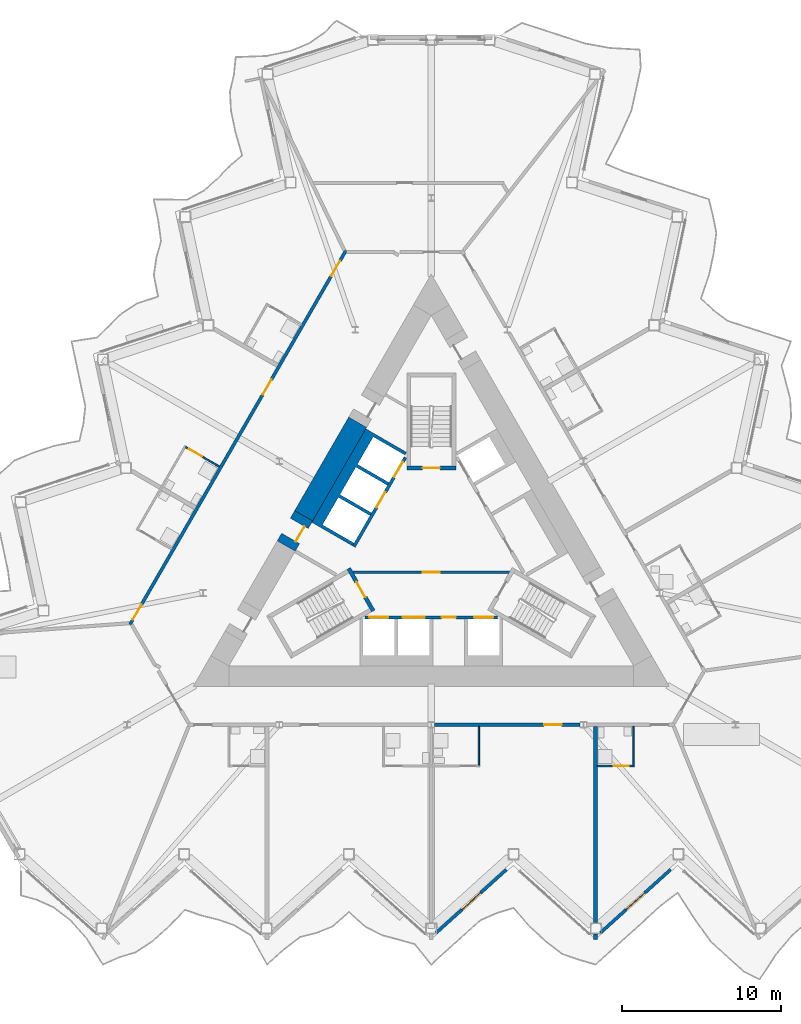
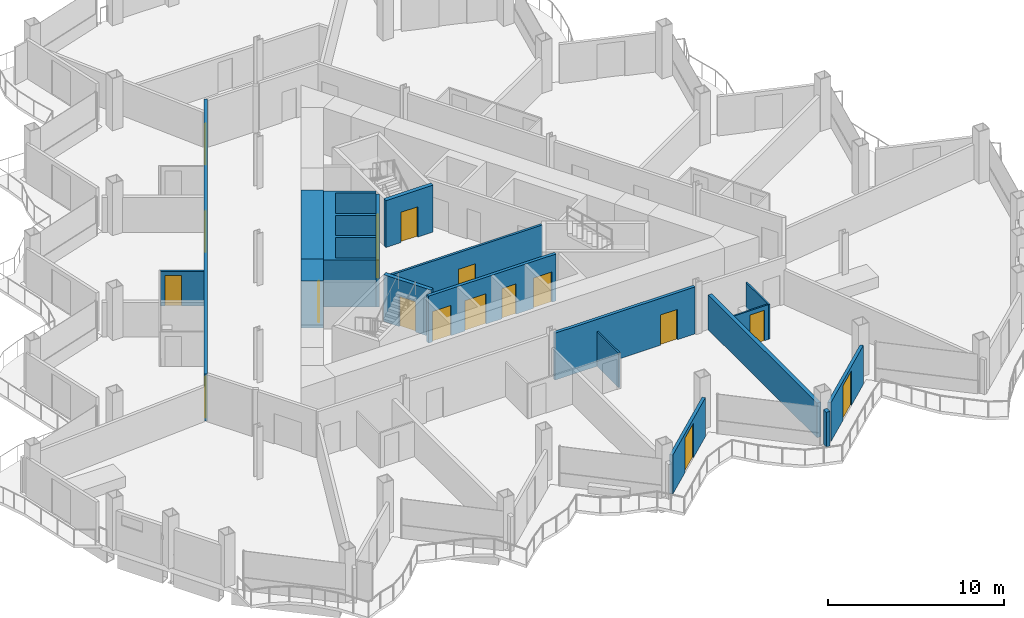
# One storey, part 12 of 24: 18 doors, 18 walls, 18 openings.
"""IFC4 building model written with IfcOpenShell, lengths in metres."""

from ifc_helpers import new_model, si_unit, direction, frame, frame_2d, origin, place, context, subcontext, project, spatial, polyline, rectangle, outline, extrude, material, layer, layer_set, type_object, element, fill, save


model = new_model("IFC4")

# Units and contexts
model_context = context("Model", 3, precision=1e-05, world=origin(), true_north=direction((0.0, 1.0)))
body_context = subcontext(model_context, "Body", "Model", "MODEL_VIEW")
ifc_project = project(units=[si_unit("LENGTHUNIT", "METRE"), si_unit("AREAUNIT", "SQUARE_METRE"), si_unit("VOLUMEUNIT", "CUBIC_METRE"), si_unit("PLANEANGLEUNIT", "RADIAN"), si_unit("MASSUNIT", "GRAM", prefix="KILO")], contexts=[model_context])

# Site, building, storey
site_placement = place(None, origin())
site = spatial("IfcSite", under=ifc_project, at=site_placement, CompositionType="ELEMENT")
building_placement = place(site_placement, origin())
building = spatial("IfcBuilding", under=site, at=building_placement, Name="Cormorant Prow Tower", CompositionType="ELEMENT")
storey_placement = place(building_placement, frame((0.0, 0.0, 231.0)))
storey = spatial("IfcBuildingStorey", under=building, at=storey_placement, Name="L50", CompositionType="ELEMENT", Elevation=231.0)

# Wall, opening, door
ifc_material_1 = material(Name="Gypsum board partition")
ifc_layer_1 = layer(ifc_material_1, 0.14990234375)
ifc_layer_set_1 = layer_set([ifc_layer_1], Name="Gypsum board partition")
wall_type_1 = type_object("IfcWallType", Name="Core partition 150", PredefinedType="PARTITIONING", material=ifc_layer_set_1)
wall_1_placement = place(storey_placement, frame((-4.941162109375, -1.449951171875, 0.0), z_axis=(0.0, 0.0, 1.0), x_axis=(1.0, 0.0, 0.0)))
wall_1 = element("IfcWall", 1, at=wall_1_placement, inside=storey, type_object=wall_type_1, Name="Firefighting lobby partition", PredefinedType="PARTITIONING", context=body_context, shape_type="SweptSolid", body=[
    extrude(rectangle(XDim=9.88232421875, YDim=0.14990234375, at=frame_2d((4.941162109375, 0.0))), origin(), (0.0, 0.0, 1.0), 3.25),
])
opening_1_placement = place(wall_1_placement, frame((4.39111328125, 0.0, 0.0)))
opening_1 = element("IfcOpeningElement", 2, at=opening_1_placement, cuts=wall_1, Name="Opening L50-C10", PredefinedType="OPENING", context=body_context, shape_type="SweptSolid", body=[
    extrude(rectangle(XDim=1.10009765625, YDim=2.10009765625, at=frame_2d((0.550048828125, 1.050048828125))), frame((0.0, 0.0849609375, 0.0), z_axis=(0.0, -1.0, 0.0), x_axis=(1.0, 0.0, 0.0)), (0.0, 0.0, 1.0), 0.169921875),
])
ifc_material_2 = material(Name="Painted steel", Category="steel")
door_type_1 = type_object("IfcDoorType", Name="Firefighting lobby door 1100x2100", OperationType="NOTDEFINED", PredefinedType="DOOR", material=ifc_material_2)
door_1_placement = place(opening_1_placement, origin())
door_1 = element("IfcDoor", 3, at=door_1_placement, inside=storey, type_object=door_type_1, Name="Firefighting lobby door", OperationType="SINGLE_SWING_LEFT", OverallHeight=2.10009765625, OverallWidth=1.10009765625, PredefinedType="DOOR", context=body_context, shape_type="SweptSolid", body=[
    extrude(rectangle(XDim=1.10009765625, YDim=2.10009765625, at=frame_2d((0.550048828125, 1.050048828125))), frame((0.0, 0.02490234375, 0.0), z_axis=(0.0, -1.0, 0.0), x_axis=(1.0, 0.0, 0.0)), (0.0, 0.0, 1.0), 0.050048828125),
])
fill(opening_1, door_1)

# Wall
ifc_material_3 = material(Name="Concrete 8000 psi", Category="concrete")
ifc_layer_2 = layer(ifc_material_3, 1.300048828125)
ifc_layer_set_2 = layer_set([ifc_layer_2], Name="Concrete 8000 psi")
wall_type_2 = type_object("IfcWallType", Name="Core shear wall 1300", PredefinedType="SHEAR", material=ifc_layer_set_2)
wall_2_placement = place(storey_placement, frame((-4.63623046875, 7.989990234375, 0.0), z_axis=(0.0, 0.0, 1.0), x_axis=(-0.500022813292, -0.866012232124, 0.0)))
element("IfcWall", 4, at=wall_2_placement, inside=storey, type_object=wall_type_2, Name="Core wall", PredefinedType="SHEAR", context=body_context, shape_type="SweptSolid", body=[
    extrude(rectangle(XDim=6.801513671875, YDim=1.300048828125, at=frame_2d((3.40087890625, 0.0))), origin(), (0.0, 0.0, 1.0), 3.25),
])

# Wall, opening, door
wall_3_placement = place(storey_placement, frame((-8.037109375, 2.099853515625, 0.0), z_axis=(0.0, 0.0, 1.0), x_axis=(-0.50002983664, -0.866008176907, 0.0)))
wall_3 = element("IfcWall", 5, at=wall_3_placement, inside=storey, type_object=wall_type_2, Name="Core wall door panel", PredefinedType="SHEAR", context=body_context, shape_type="SweptSolid", body=[
    extrude(rectangle(XDim=2.199951171875, YDim=1.300048828125, at=frame_2d((1.10009765625, 0.0))), origin(), (0.0, 0.0, 1.0), 3.25),
])
opening_2_placement = place(wall_3_placement, frame((0.550048828125, 0.0, 0.0)))
opening_2 = element("IfcOpeningElement", 6, at=opening_2_placement, cuts=wall_3, Name="Opening L50-C18", PredefinedType="OPENING", context=body_context, shape_type="SweptSolid", body=[
    extrude(rectangle(XDim=1.10009765625, YDim=2.10009765625, at=frame_2d((0.550048828125, 1.050048828125))), frame((0.0, 0.659912109375, 0.0), z_axis=(0.0, -1.0, 0.0), x_axis=(1.0, 0.0, 0.0)), (0.0, 0.0, 1.0), 1.320068359375),
])
ifc_material_4 = material(Name="Painted steel", Category="steel")
door_type_2 = type_object("IfcDoorType", Name="Core door 1100x2100", OperationType="NOTDEFINED", PredefinedType="DOOR", material=ifc_material_4)
door_2_placement = place(opening_2_placement, origin())
door_2 = element("IfcDoor", 7, at=door_2_placement, inside=storey, type_object=door_type_2, Name="Core door, lift lobby", OperationType="SINGLE_SWING_RIGHT", OverallHeight=2.10009765625, OverallWidth=1.10009765625, PredefinedType="DOOR", context=body_context, shape_type="SweptSolid", body=[
    extrude(rectangle(XDim=1.10009765625, YDim=2.10009765625, at=frame_2d((0.550048828125, 1.050048828125))), frame((0.0, 0.40478515625, 0.0), z_axis=(0.0, -1.0, 0.0), x_axis=(1.0, 0.0, 0.0)), (0.0, 0.0, 1.0), 0.050048828125),
])
fill(opening_2, door_2)

# Wall, openings, doors
ifc_material_5 = material(Name="Gypsum board corridor wall")
ifc_layer_3 = layer(ifc_material_5, 0.199951171875)
ifc_layer_set_3 = layer_set([ifc_layer_3], Name="Gypsum board corridor wall")
wall_type_3 = type_object("IfcWallType", Name="Corridor wall 200", PredefinedType="PARTITIONING", material=ifc_layer_set_3)
wall_4_placement = place(storey_placement, frame((-18.97607421875, -4.746826171875, 0.0), z_axis=(0.0, 0.0, 1.0), x_axis=(0.499999852422, 0.866025488988, 0.0)))
wall_4 = element("IfcWall", 8, at=wall_4_placement, inside=storey, type_object=wall_type_3, Name="Corridor wall", PredefinedType="PARTITIONING", context=body_context, shape_type="SweptSolid", body=[
    extrude(rectangle(XDim=27.19775390625, YDim=0.199951171875, at=frame_2d((13.598876953125, 0.0))), origin(), (0.0, 0.0, 1.0), 3.25),
])
opening_3_placement = place(wall_4_placement, frame((25.345947265625, 0.0, 0.0)))
opening_3 = element("IfcOpeningElement", 9, at=opening_3_placement, cuts=wall_4, Name="Opening L50-F20", PredefinedType="OPENING", context=body_context, shape_type="SweptSolid", body=[
    extrude(rectangle(XDim=1.10009765625, YDim=2.10009765625, at=frame_2d((0.550048828125, 1.050048828125))), frame((0.0, 0.10986328125, 0.0), z_axis=(0.0, -1.0, 0.0), x_axis=(1.0, 0.0, 0.0)), (0.0, 0.0, 1.0), 0.219970703125),
])
opening_4_placement = place(wall_4_placement, frame((16.712890625, 0.0, 0.0)))
opening_4 = element("IfcOpeningElement", 10, at=opening_4_placement, cuts=wall_4, Name="Opening L50-F22", PredefinedType="OPENING", context=body_context, shape_type="SweptSolid", body=[
    extrude(rectangle(XDim=1.10009765625, YDim=2.10009765625, at=frame_2d((0.550048828125, 1.050048828125))), frame((0.0, 0.10986328125, 0.0), z_axis=(0.0, -1.0, 0.0), x_axis=(1.0, 0.0, 0.0)), (0.0, 0.0, 1.0), 0.219970703125),
])
opening_5_placement = place(wall_4_placement, frame((0.350341796875, 0.0, 0.0)))
opening_5 = element("IfcOpeningElement", 11, at=opening_5_placement, cuts=wall_4, Name="Opening L50-F24", PredefinedType="OPENING", context=body_context, shape_type="SweptSolid", body=[
    extrude(rectangle(XDim=1.10009765625, YDim=2.10009765625, at=frame_2d((0.550048828125, 1.050048828125))), frame((0.0, 0.10986328125, 0.0), z_axis=(0.0, -1.0, 0.0), x_axis=(1.0, 0.0, 0.0)), (0.0, 0.0, 1.0), 0.219970703125),
])
ifc_material_6 = material(Name="Timber door leaf", Category="wood")
door_type_3 = type_object("IfcDoorType", Name="Suite entrance door 1100x2100", OperationType="NOTDEFINED", PredefinedType="DOOR", material=ifc_material_6)
door_3_placement = place(opening_3_placement, origin())
door_3 = element("IfcDoor", 12, at=door_3_placement, inside=storey, type_object=door_type_3, Name="Executive suite bedroom door", OperationType="SINGLE_SWING_RIGHT", OverallHeight=2.10009765625, OverallWidth=1.10009765625, PredefinedType="DOOR", context=body_context, shape_type="SweptSolid", body=[
    extrude(rectangle(XDim=1.10009765625, YDim=2.10009765625, at=frame_2d((0.550048828125, 1.050048828125))), frame((0.0, 0.02490234375, 0.0), z_axis=(0.0, -1.0, 0.0), x_axis=(1.0, 0.0, 0.0)), (0.0, 0.0, 1.0), 0.050048828125),
])
fill(opening_3, door_3)
door_4_placement = place(opening_4_placement, origin())
door_4 = element("IfcDoor", 13, at=door_4_placement, inside=storey, type_object=door_type_3, Name="Junior suite door", OperationType="SINGLE_SWING_RIGHT", OverallHeight=2.10009765625, OverallWidth=1.10009765625, PredefinedType="DOOR", context=body_context, shape_type="SweptSolid", body=[
    extrude(rectangle(XDim=1.10009765625, YDim=2.10009765625, at=frame_2d((0.550048828125, 1.050048828125))), frame((0.0, 0.02490234375, 0.0), z_axis=(0.0, -1.0, 0.0), x_axis=(1.0, 0.0, 0.0)), (0.0, 0.0, 1.0), 0.050048828125),
])
fill(opening_4, door_4)
door_5_placement = place(opening_5_placement, origin())
door_5 = element("IfcDoor", 14, at=door_5_placement, inside=storey, type_object=door_type_3, Name="Executive suite bedroom door", OperationType="SINGLE_SWING_LEFT", OverallHeight=2.10009765625, OverallWidth=1.10009765625, PredefinedType="DOOR", context=body_context, shape_type="SweptSolid", body=[
    extrude(rectangle(XDim=1.10009765625, YDim=2.10009765625, at=frame_2d((0.550048828125, 1.050048828125))), frame((0.0, 0.02490234375, 0.0), z_axis=(0.0, -1.0, 0.0), x_axis=(1.0, 0.0, 0.0)), (0.0, 0.0, 1.0), 0.050048828125),
])
fill(opening_5, door_5)

# Wall, opening, door
wall_5_placement = place(storey_placement, frame((0.20947265625, -11.060302734375, 0.0), z_axis=(0.0, 0.0, 1.0), x_axis=(1.0, 0.0, 0.0)))
wall_5 = element("IfcWall", 15, at=wall_5_placement, inside=storey, type_object=wall_type_3, Name="Corridor wall", PredefinedType="PARTITIONING", context=body_context, shape_type="SweptSolid", body=[
    extrude(rectangle(XDim=9.159423828125, YDim=0.199951171875, at=frame_2d((4.57958984375, 0.0))), origin(), (0.0, 0.0, 1.0), 3.25),
])
opening_6_placement = place(wall_5_placement, frame((6.90234375, 0.0, 0.0)))
opening_6 = element("IfcOpeningElement", 16, at=opening_6_placement, cuts=wall_5, Name="Opening L50-F05", PredefinedType="OPENING", context=body_context, shape_type="SweptSolid", body=[
    extrude(rectangle(XDim=1.10009765625, YDim=2.10009765625, at=frame_2d((0.550048828125, 1.050048828125))), frame((0.0, 0.10986328125, 0.0), z_axis=(0.0, -1.0, 0.0), x_axis=(1.0, 0.0, 0.0)), (0.0, 0.0, 1.0), 0.219970703125),
])
door_6_placement = place(opening_6_placement, origin())
door_6 = element("IfcDoor", 17, at=door_6_placement, inside=storey, type_object=door_type_3, Name="Junior suite door", OperationType="SINGLE_SWING_LEFT", OverallHeight=2.10009765625, OverallWidth=1.10009765625, PredefinedType="DOOR", context=body_context, shape_type="SweptSolid", body=[
    extrude(rectangle(XDim=1.10009765625, YDim=2.10009765625, at=frame_2d((0.550048828125, 1.050048828125))), frame((0.0, 0.02490234375, 0.0), z_axis=(0.0, -1.0, 0.0), x_axis=(1.0, 0.0, 0.0)), (0.0, 0.0, 1.0), 0.050048828125),
])
fill(opening_6, door_6)

ifc_material_7 = material(Name="Gypsum board partition")
ifc_layer_4 = layer(ifc_material_7, 0.10009765625)
ifc_layer_set_4 = layer_set([ifc_layer_4], Name="Gypsum board partition")
wall_type_4 = type_object("IfcWallType", Name="Internal partition 100", PredefinedType="PARTITIONING", material=ifc_layer_set_4)
wall_6_placement = place(storey_placement, frame((-15.470947265625, 6.42431640625, 0.0), z_axis=(0.0, 0.0, 1.0), x_axis=(0.866014668023, -0.500018594424, 0.0)))
wall_6 = element("IfcWall", 18, at=wall_6_placement, inside=storey, type_object=wall_type_4, Name="Internal partition", PredefinedType="PARTITIONING", context=body_context, shape_type="SweptSolid", body=[
    extrude(rectangle(XDim=2.4501953125, YDim=0.10009765625, at=frame_2d((1.22509765625, 0.0))), origin(), (0.0, 0.0, 1.0), 2.404296875),
])
opening_7_placement = place(wall_6_placement, frame((0.25, 0.0, 0.0)))
opening_7 = element("IfcOpeningElement", 19, at=opening_7_placement, cuts=wall_6, Name="Opening L50-F23", PredefinedType="OPENING", context=body_context, shape_type="SweptSolid", body=[
    extrude(rectangle(XDim=0.949951171875, YDim=2.10009765625, at=frame_2d((0.47509765625, 1.050048828125))), frame((0.0, 0.06005859375, 0.0), z_axis=(0.0, -1.0, 0.0), x_axis=(1.0, 0.0, 0.0)), (0.0, 0.0, 1.0), 0.1201171875),
])
ifc_material_8 = material(Name="Timber door leaf", Category="wood")
door_type_4 = type_object("IfcDoorType", Name="Bathroom door 950x2100", OperationType="NOTDEFINED", PredefinedType="DOOR", material=ifc_material_8)
door_7_placement = place(opening_7_placement, origin())
door_7 = element("IfcDoor", 20, at=door_7_placement, inside=storey, type_object=door_type_4, Name="Junior suite door", OperationType="SINGLE_SWING_LEFT", OverallHeight=2.10009765625, OverallWidth=0.949951171875, PredefinedType="DOOR", context=body_context, shape_type="SweptSolid", body=[
    extrude(rectangle(XDim=0.949951171875, YDim=2.10009765625, at=frame_2d((0.47509765625, 1.050048828125))), frame((0.0, 0.02490234375, 0.0), z_axis=(0.0, -1.0, 0.0), x_axis=(1.0, 0.0, 0.0)), (0.0, 0.0, 1.0), 0.050048828125),
])
fill(opening_7, door_7)

# Walls
wall_7_placement = place(storey_placement, frame((3.0, -13.6103515625, 0.0), z_axis=(0.0, 0.0, 1.0), x_axis=(0.0, 1.0, 0.0)))
element("IfcWall", 21, at=wall_7_placement, inside=storey, type_object=wall_type_4, Name="Internal partition", PredefinedType="PARTITIONING", context=body_context, shape_type="SweptSolid", body=[
    extrude(rectangle(XDim=2.449951171875, YDim=0.10009765625, at=frame_2d((1.22509765625, 0.0))), origin(), (0.0, 0.0, 1.0), 2.404296875),
])
wall_8_placement = place(storey_placement, frame((12.743896484375, -13.710205078125, 0.0), z_axis=(0.0, 0.0, 1.0), x_axis=(0.0, 1.0, 0.0)))
element("IfcWall", 22, at=wall_8_placement, inside=storey, type_object=wall_type_4, Name="Internal partition", PredefinedType="PARTITIONING", context=body_context, shape_type="SweptSolid", body=[
    extrude(rectangle(XDim=2.5498046875, YDim=0.10009765625, at=frame_2d((1.27490234375, 0.0))), origin(), (0.0, 0.0, 1.0), 2.404296875),
])

# Wall, opening, door
wall_9_placement = place(storey_placement, frame((10.46875, -13.660400390625, 0.0), z_axis=(0.0, 0.0, 1.0), x_axis=(1.0, 0.0, 0.0)))
wall_9 = element("IfcWall", 23, at=wall_9_placement, inside=storey, type_object=wall_type_4, Name="Internal partition", PredefinedType="PARTITIONING", context=body_context, shape_type="SweptSolid", body=[
    extrude(rectangle(XDim=2.22509765625, YDim=0.10009765625, at=frame_2d((1.112548828125, 0.0))), origin(), (0.0, 0.0, 1.0), 2.404296875),
])
opening_8_placement = place(wall_9_placement, frame((1.02490234375, 0.0, 0.0)))
opening_8 = element("IfcOpeningElement", 24, at=opening_8_placement, cuts=wall_9, Name="Opening L50-F08", PredefinedType="OPENING", context=body_context, shape_type="SweptSolid", body=[
    extrude(rectangle(XDim=0.949951171875, YDim=2.10009765625, at=frame_2d((0.47509765625, 1.050048828125))), frame((0.0, 0.06005859375, 0.0), z_axis=(0.0, -1.0, 0.0), x_axis=(1.0, 0.0, 0.0)), (0.0, 0.0, 1.0), 0.1201171875),
])
door_8_placement = place(opening_8_placement, origin())
door_8 = element("IfcDoor", 25, at=door_8_placement, inside=storey, type_object=door_type_4, Name="Junior suite door", OperationType="SINGLE_SWING_RIGHT", OverallHeight=2.10009765625, OverallWidth=0.949951171875, PredefinedType="DOOR", context=body_context, shape_type="SweptSolid", body=[
    extrude(rectangle(XDim=0.949951171875, YDim=2.10009765625, at=frame_2d((0.47509765625, 1.050048828125))), frame((0.0, 0.02490234375, 0.0), z_axis=(0.0, -1.0, 0.0), x_axis=(1.0, 0.0, 0.0)), (0.0, 0.0, 1.0), 0.050048828125),
])
fill(opening_8, door_8)

# Wall, openings, doors
ifc_material_9 = material(Name="Concrete 5000 psi", Category="concrete")
ifc_layer_5 = layer(ifc_material_9, 0.199951171875)
ifc_layer_set_5 = layer_set([ifc_layer_5], Name="Concrete 5000 psi")
wall_type_5 = type_object("IfcWallType", Name="Lift lobby wall 200", PredefinedType="SOLIDWALL", material=ifc_layer_set_5)
wall_10_placement = place(storey_placement, frame((-4.1865234375, -4.300048828125, 0.0), z_axis=(0.0, 0.0, 1.0), x_axis=(1.0, 0.0, 0.0)))
wall_10 = element("IfcWall", 26, at=wall_10_placement, inside=storey, type_object=wall_type_5, Name="Lift lobby wall, S block", PredefinedType="SOLIDWALL", context=body_context, shape_type="SweptSolid", body=[
    extrude(rectangle(XDim=8.373046875, YDim=0.199951171875, at=frame_2d((4.1865234375, 0.0))), origin(), (0.0, 0.0, 1.0), 3.25),
])
opening_9_placement = place(wall_10_placement, frame((0.28662109375, 0.0, 0.0)))
opening_9 = element("IfcOpeningElement", 27, at=opening_9_placement, cuts=wall_10, Name="Opening L50-C01", PredefinedType="OPENING", context=body_context, shape_type="SweptSolid", body=[
    extrude(rectangle(XDim=1.199951171875, YDim=2.10009765625, at=frame_2d((0.60009765625, 1.050048828125))), frame((0.0, 0.10986328125, 0.0), z_axis=(0.0, -1.0, 0.0), x_axis=(1.0, 0.0, 0.0)), (0.0, 0.0, 1.0), 0.219970703125),
])
opening_10_placement = place(wall_10_placement, frame((2.38671875, 0.0, 0.0)))
opening_10 = element("IfcOpeningElement", 28, at=opening_10_placement, cuts=wall_10, Name="Opening L50-C02", PredefinedType="OPENING", context=body_context, shape_type="SweptSolid", body=[
    extrude(rectangle(XDim=1.39990234375, YDim=2.10009765625, at=frame_2d((0.699951171875, 1.050048828125))), frame((0.0, 0.10986328125, 0.0), z_axis=(0.0, -1.0, 0.0), x_axis=(1.0, 0.0, 0.0)), (0.0, 0.0, 1.0), 0.219970703125),
])
opening_11_placement = place(wall_10_placement, frame((4.836669921875, 0.0, 0.0)))
opening_11 = element("IfcOpeningElement", 29, at=opening_11_placement, cuts=wall_10, Name="Opening L50-C03", PredefinedType="OPENING", context=body_context, shape_type="SweptSolid", body=[
    extrude(rectangle(XDim=0.89990234375, YDim=2.10009765625, at=frame_2d((0.449951171875, 1.050048828125))), frame((0.0, 0.10986328125, 0.0), z_axis=(0.0, -1.0, 0.0), x_axis=(1.0, 0.0, 0.0)), (0.0, 0.0, 1.0), 0.219970703125),
])
opening_12_placement = place(wall_10_placement, frame((6.88671875, 0.0, 0.0)))
opening_12 = element("IfcOpeningElement", 30, at=opening_12_placement, cuts=wall_10, Name="Opening L50-C04", PredefinedType="OPENING", context=body_context, shape_type="SweptSolid", body=[
    extrude(rectangle(XDim=1.199951171875, YDim=2.10009765625, at=frame_2d((0.60009765625, 1.050048828125))), frame((0.0, 0.10986328125, 0.0), z_axis=(0.0, -1.0, 0.0), x_axis=(1.0, 0.0, 0.0)), (0.0, 0.0, 1.0), 0.219970703125),
])
ifc_material_10 = material(Name="Painted steel", Category="steel")
door_type_5 = type_object("IfcDoorType", Name="Firefighting lift landing door 1200x2100", OperationType="SLIDING_TO_LEFT", PredefinedType="DOOR", material=ifc_material_10)
door_9_placement = place(opening_9_placement, origin())
door_9 = element("IfcDoor", 31, at=door_9_placement, inside=storey, type_object=door_type_5, Name="Landing door FL1", OperationType="SLIDING_TO_LEFT", OverallHeight=2.10009765625, OverallWidth=1.199951171875, PredefinedType="DOOR", context=body_context, shape_type="SweptSolid", body=[
    extrude(rectangle(XDim=1.199951171875, YDim=2.10009765625, at=frame_2d((0.60009765625, 1.050048828125))), frame((0.0, 0.02490234375, 0.0), z_axis=(0.0, -1.0, 0.0), x_axis=(1.0, 0.0, 0.0)), (0.0, 0.0, 1.0), 0.050048828125),
])
fill(opening_9, door_9)
door_10_placement = place(opening_12_placement, origin())
door_10 = element("IfcDoor", 32, at=door_10_placement, inside=storey, type_object=door_type_5, Name="Landing door FL2", OperationType="SLIDING_TO_LEFT", OverallHeight=2.10009765625, OverallWidth=1.199951171875, PredefinedType="DOOR", context=body_context, shape_type="SweptSolid", body=[
    extrude(rectangle(XDim=1.199951171875, YDim=2.10009765625, at=frame_2d((0.60009765625, 1.050048828125))), frame((0.0, 0.02490234375, 0.0), z_axis=(0.0, -1.0, 0.0), x_axis=(1.0, 0.0, 0.0)), (0.0, 0.0, 1.0), 0.050048828125),
])
fill(opening_12, door_10)
ifc_material_11 = material(Name="Painted steel", Category="steel")
door_type_6 = type_object("IfcDoorType", Name="Service door 900x2100", OperationType="NOTDEFINED", PredefinedType="DOOR", material=ifc_material_11)
door_11_placement = place(opening_11_placement, origin())
door_11 = element("IfcDoor", 33, at=door_11_placement, inside=storey, type_object=door_type_6, Name="Service door, Pantry store", OperationType="SINGLE_SWING_RIGHT", OverallHeight=2.10009765625, OverallWidth=0.89990234375, PredefinedType="DOOR", context=body_context, shape_type="SweptSolid", body=[
    extrude(rectangle(XDim=0.89990234375, YDim=2.10009765625, at=frame_2d((0.449951171875, 1.050048828125))), frame((0.0, 0.02490234375, 0.0), z_axis=(0.0, -1.0, 0.0), x_axis=(1.0, 0.0, 0.0)), (0.0, 0.0, 1.0), 0.050048828125),
])
fill(opening_11, door_11)
ifc_material_12 = material(Name="Painted steel", Category="steel")
door_type_7 = type_object("IfcDoorType", Name="Service lift landing door 1400x2100", OperationType="SLIDING_TO_LEFT", PredefinedType="DOOR", material=ifc_material_12)
door_12_placement = place(opening_10_placement, origin())
door_12 = element("IfcDoor", 34, at=door_12_placement, inside=storey, type_object=door_type_7, Name="Landing door SL1", OperationType="SLIDING_TO_LEFT", OverallHeight=2.10009765625, OverallWidth=1.39990234375, PredefinedType="DOOR", context=body_context, shape_type="SweptSolid", body=[
    extrude(rectangle(XDim=1.39990234375, YDim=2.10009765625, at=frame_2d((0.699951171875, 1.050048828125))), frame((0.0, 0.02490234375, 0.0), z_axis=(0.0, -1.0, 0.0), x_axis=(1.0, 0.0, 0.0)), (0.0, 0.0, 1.0), 0.050048828125),
])
fill(opening_10, door_12)

wall_11_placement = place(storey_placement, frame((-1.630615234375, 5.775634765625, 0.0), z_axis=(0.0, 0.0, 1.0), x_axis=(-0.499992876559, -0.866029516466, 0.0)))
wall_11 = element("IfcWall", 35, at=wall_11_placement, inside=storey, type_object=wall_type_5, Name="Lift lobby wall, WNW block", PredefinedType="SOLIDWALL", context=body_context, shape_type="SweptSolid", body=[
    extrude(rectangle(XDim=6.486328125, YDim=0.199951171875, at=frame_2d((3.2431640625, 0.0))), origin(), (0.0, 0.0, 1.0), 3.25),
])
opening_13_placement = place(wall_11_placement, frame((0.336669921875, 0.0, 0.0)))
opening_13 = element("IfcOpeningElement", 36, at=opening_13_placement, cuts=wall_11, Name="Opening L50-C08", PredefinedType="OPENING", context=body_context, shape_type="SweptSolid", body=[
    extrude(rectangle(XDim=1.10009765625, YDim=2.10009765625, at=frame_2d((0.550048828125, 1.050048828125))), frame((0.0, 0.10986328125, 0.0), z_axis=(0.0, -1.0, 0.0), x_axis=(1.0, 0.0, 0.0)), (0.0, 0.0, 1.0), 0.219970703125),
])
opening_14_placement = place(wall_11_placement, frame((2.53662109375, 0.0, 0.0)))
opening_14 = element("IfcOpeningElement", 37, at=opening_14_placement, cuts=wall_11, Name="Opening L50-C09", PredefinedType="OPENING", context=body_context, shape_type="SweptSolid", body=[
    extrude(rectangle(XDim=1.10009765625, YDim=2.10009765625, at=frame_2d((0.550048828125, 1.050048828125))), frame((0.0, 0.10986328125, 0.0), z_axis=(0.0, -1.0, 0.0), x_axis=(1.0, 0.0, 0.0)), (0.0, 0.0, 1.0), 0.219970703125),
])
ifc_material_13 = material(Name="Painted steel", Category="steel")
door_type_8 = type_object("IfcDoorType", Name="Lift landing door 1100x2100", OperationType="SLIDING_TO_LEFT", PredefinedType="DOOR", material=ifc_material_13)
door_13_placement = place(opening_13_placement, origin())
door_13 = element("IfcDoor", 38, at=door_13_placement, inside=storey, type_object=door_type_8, Name="Landing door MR2", OperationType="SLIDING_TO_LEFT", OverallHeight=2.10009765625, OverallWidth=1.10009765625, PredefinedType="DOOR", context=body_context, shape_type="SweptSolid", body=[
    extrude(rectangle(XDim=1.10009765625, YDim=2.10009765625, at=frame_2d((0.550048828125, 1.050048828125))), frame((0.0, 0.02490234375, 0.0), z_axis=(0.0, -1.0, 0.0), x_axis=(1.0, 0.0, 0.0)), (0.0, 0.0, 1.0), 0.050048828125),
])
fill(opening_13, door_13)
door_14_placement = place(opening_14_placement, origin())
door_14 = element("IfcDoor", 39, at=door_14_placement, inside=storey, type_object=door_type_8, Name="Landing door MR3", OperationType="SLIDING_TO_LEFT", OverallHeight=2.10009765625, OverallWidth=1.10009765625, PredefinedType="DOOR", context=body_context, shape_type="SweptSolid", body=[
    extrude(rectangle(XDim=1.10009765625, YDim=2.10009765625, at=frame_2d((0.550048828125, 1.050048828125))), frame((0.0, 0.02490234375, 0.0), z_axis=(0.0, -1.0, 0.0), x_axis=(1.0, 0.0, 0.0)), (0.0, 0.0, 1.0), 0.050048828125),
])
fill(opening_14, door_14)

# Wall
ifc_material_14 = material(Name="Concrete 8000 psi", Category="concrete")
ifc_layer_6 = layer(ifc_material_14, 0.199951171875)
ifc_layer_set_6 = layer_set([ifc_layer_6], Name="Concrete 8000 psi")
wall_type_6 = type_object("IfcWallType", Name="Lift shaft wall 200", PredefinedType="SHEAR", material=ifc_layer_set_6)
wall_12_placement = place(storey_placement, origin())
element("IfcWall", 40, at=wall_12_placement, inside=storey, type_object=wall_type_6, Name="Lift shaft walls, WNW block", PredefinedType="SHEAR", context=body_context, shape_type="SweptSolid", body=[
    extrude(outline(polyline([(-7.524169921875, 1.688232421875), (-4.124267578125, 7.5771484375), (-3.730712890625, 7.35009765625), (-1.560546875, 6.09716796875), (-1.660400390625, 5.923828125), (-3.65234375, 7.073974609375), (-4.65234375, 5.341796875), (-2.660400390625, 4.19189453125), (-2.760498046875, 4.018798828125), (-4.75244140625, 5.168701171875), (-5.75244140625, 3.4365234375), (-3.760498046875, 2.28662109375), (-3.860595703125, 2.11328125), (-5.852294921875, 3.263427734375), (-6.852294921875, 1.53125), (-4.860595703125, 0.38134765625), (-4.96044921875, 0.2080078125), (-7.130859375, 1.461181640625), (-7.524169921875, 1.688232421875)])), origin(), (0.0, 0.0, 1.0), 3.25),
])

# Wall, opening, door
ifc_material_15 = material(Name="Concrete 8000 psi", Category="concrete")
ifc_layer_7 = layer(ifc_material_15, 0.25)
ifc_layer_set_7 = layer_set([ifc_layer_7], Name="Concrete 8000 psi")
wall_type_7 = type_object("IfcWallType", Name="Stair wall 250", PredefinedType="SHEAR", material=ifc_layer_set_7)
wall_13_placement = place(storey_placement, frame((-5.198974609375, -1.21875, 0.0), z_axis=(0.0, 0.0, 1.0), x_axis=(0.499982516597, -0.866035497597, 0.0)))
wall_13 = element("IfcWall", 41, at=wall_13_placement, inside=storey, type_object=wall_type_7, Name="Stair ST1 door wall", PredefinedType="SHEAR", context=body_context, shape_type="SweptSolid", body=[
    extrude(rectangle(XDim=3.087890625, YDim=0.25, at=frame_2d((1.5439453125, 0.0))), origin(), (0.0, 0.0, 1.0), 3.25),
])
opening_15_placement = place(wall_13_placement, frame((0.993896484375, 0.0, 0.0)))
opening_15 = element("IfcOpeningElement", 42, at=opening_15_placement, cuts=wall_13, Name="Opening L50-C11", PredefinedType="OPENING", context=body_context, shape_type="SweptSolid", body=[
    extrude(rectangle(XDim=1.10009765625, YDim=2.10009765625, at=frame_2d((0.550048828125, 1.050048828125))), frame((0.0, 0.135009765625, 0.0), z_axis=(0.0, -1.0, 0.0), x_axis=(1.0, 0.0, 0.0)), (0.0, 0.0, 1.0), 0.27001953125),
])
ifc_material_16 = material(Name="Painted steel", Category="steel")
door_type_9 = type_object("IfcDoorType", Name="Stair door 1100x2100", OperationType="NOTDEFINED", PredefinedType="DOOR", material=ifc_material_16)
door_15_placement = place(opening_15_placement, origin())
door_15 = element("IfcDoor", 43, at=door_15_placement, inside=storey, type_object=door_type_9, Name="Stair ST1 door", OperationType="SINGLE_SWING_LEFT", OverallHeight=2.10009765625, OverallWidth=1.10009765625, PredefinedType="DOOR", context=body_context, shape_type="SweptSolid", body=[
    extrude(rectangle(XDim=1.10009765625, YDim=2.10009765625, at=frame_2d((0.550048828125, 1.050048828125))), frame((0.0, 0.02490234375, 0.0), z_axis=(0.0, -1.0, 0.0), x_axis=(1.0, 0.0, 0.0)), (0.0, 0.0, 1.0), 0.050048828125),
])
fill(opening_15, door_15)

wall_14_placement = place(storey_placement, frame((1.5439453125, 5.11181640625, 0.0), z_axis=(0.0, 0.0, 1.0), x_axis=(-1.0, 0.0, 0.0)))
wall_14 = element("IfcWall", 44, at=wall_14_placement, inside=storey, type_object=wall_type_7, Name="Stair ST3 door wall", PredefinedType="SHEAR", context=body_context, shape_type="SweptSolid", body=[
    extrude(rectangle(XDim=3.087890625, YDim=0.25, at=frame_2d((1.5439453125, 0.0))), origin(), (0.0, 0.0, 1.0), 3.25),
])
opening_16_placement = place(wall_14_placement, frame((0.993896484375, 0.0, 0.0)))
opening_16 = element("IfcOpeningElement", 45, at=opening_16_placement, cuts=wall_14, Name="Opening L50-C13", PredefinedType="OPENING", context=body_context, shape_type="SweptSolid", body=[
    extrude(rectangle(XDim=1.10009765625, YDim=2.10009765625, at=frame_2d((0.550048828125, 1.050048828125))), frame((0.0, 0.135009765625, 0.0), z_axis=(0.0, -1.0, 0.0), x_axis=(1.0, 0.0, 0.0)), (0.0, 0.0, 1.0), 0.27001953125),
])
door_16_placement = place(opening_16_placement, origin())
door_16 = element("IfcDoor", 46, at=door_16_placement, inside=storey, type_object=door_type_9, Name="Stair ST3 door", OperationType="SINGLE_SWING_LEFT", OverallHeight=2.10009765625, OverallWidth=1.10009765625, PredefinedType="DOOR", context=body_context, shape_type="SweptSolid", body=[
    extrude(rectangle(XDim=1.10009765625, YDim=2.10009765625, at=frame_2d((0.550048828125, 1.050048828125))), frame((0.0, 0.02490234375, 0.0), z_axis=(0.0, -1.0, 0.0), x_axis=(1.0, 0.0, 0.0)), (0.0, 0.0, 1.0), 0.050048828125),
])
fill(opening_16, door_16)

# Walls
ifc_material_17 = material(Name="Acoustic gypsum party wall")
ifc_layer_8 = layer(ifc_material_17, 0.25)
ifc_layer_set_8 = layer_set([ifc_layer_8], Name="Acoustic gypsum party wall")
wall_type_8 = type_object("IfcWallType", Name="Suite party wall 250", PredefinedType="PARTITIONING", material=ifc_layer_set_8)
wall_15_placement = place(storey_placement, frame((10.34375, -23.52685546875, 0.0), z_axis=(0.0, 0.0, 1.0), x_axis=(0.0, 1.0, 0.0)))
element("IfcWall", 47, at=wall_15_placement, inside=storey, type_object=wall_type_8, Name="Suite party wall", PredefinedType="PARTITIONING", context=body_context, shape_type="SweptSolid", body=[
    extrude(rectangle(XDim=12.366455078125, YDim=0.25, at=frame_2d((6.18310546875, 0.0))), origin(), (0.0, 0.0, 1.0), 2.404296875),
])
wall_16_placement = place(storey_placement, frame((10.34375, -24.57958984375, 0.0), z_axis=(0.0, 0.0, 1.0), x_axis=(0.0, 1.0, 0.0)))
element("IfcWall", 48, at=wall_16_placement, inside=storey, type_object=wall_type_8, Name="Suite party wall", PredefinedType="PARTITIONING", context=body_context, shape_type="SweptSolid", body=[
    extrude(rectangle(XDim=0.332763671875, YDim=0.25, at=frame_2d((0.16650390625, 0.0))), origin(), (0.0, 0.0, 1.0), 2.404296875),
])

# Wall, opening, door
ifc_material_18 = material(Name="Terracotta", Category="masonry")
ifc_layer_9 = layer(ifc_material_18, 0.199951171875)
ifc_layer_set_9 = layer_set([ifc_layer_9], Name="Terracotta")
wall_type_9 = type_object("IfcWallType", Name="Terracotta jamb wall 200", PredefinedType="SOLIDWALL", material=ifc_layer_set_9)
wall_17_placement = place(storey_placement, frame((0.305419921875, -24.170166015625, 0.0), z_axis=(0.0, 0.0, 1.0), x_axis=(0.743143336638, 0.669132259878, 0.0)))
wall_17 = element("IfcWall", 49, at=wall_17_placement, inside=storey, type_object=wall_type_9, Name="Terracotta jamb wall S05", PredefinedType="SOLIDWALL", context=body_context, shape_type="SweptSolid", body=[
    extrude(rectangle(XDim=5.95751953125, YDim=0.199951171875, at=frame_2d((2.978759765625, 0.0))), origin(), (0.0, 0.0, 1.0), 2.700927734375),
])
opening_17_placement = place(wall_17_placement, frame((2.1787109375, 0.0, 0.0)))
opening_17 = element("IfcOpeningElement", 50, at=opening_17_placement, cuts=wall_17, Name="Opening ED50.03", PredefinedType="OPENING", context=body_context, shape_type="SweptSolid", body=[
    extrude(rectangle(XDim=1.60009765625, YDim=2.39990234375, at=frame_2d((0.800048828125, 1.199951171875))), frame((0.0, 0.10986328125, 0.0), z_axis=(0.0, -1.0, 0.0), x_axis=(1.0, 0.0, 0.0)), (0.0, 0.0, 1.0), 0.219970703125),
])
ifc_material_19 = material(Name="Aluminium 6063-T6", Category="aluminium")
door_type_10 = type_object("IfcDoorType", Name="Balcony door 1600x2400", OperationType="DOUBLE_DOOR_SINGLE_SWING", PredefinedType="DOOR", material=ifc_material_19)
door_17_placement = place(opening_17_placement, origin())
door_17 = element("IfcDoor", 51, at=door_17_placement, inside=storey, type_object=door_type_10, Name="Balcony door S05 ED50.03", OperationType="DOUBLE_DOOR_SINGLE_SWING", OverallHeight=2.39990234375, OverallWidth=1.60009765625, PredefinedType="DOOR", context=body_context, shape_type="SweptSolid", body=[
    extrude(rectangle(XDim=1.60009765625, YDim=2.39990234375, at=frame_2d((0.800048828125, 1.199951171875))), frame((0.0, 0.02490234375, 0.0), z_axis=(0.0, -1.0, 0.0), x_axis=(1.0, 0.0, 0.0)), (0.0, 0.0, 1.0), 0.050048828125),
])
fill(opening_17, door_17)

wall_18_placement = place(storey_placement, frame((10.649169921875, -24.170166015625, 0.0), z_axis=(0.0, 0.0, 1.0), x_axis=(0.743143336638, 0.669132259878, 0.0)))
wall_18 = element("IfcWall", 52, at=wall_18_placement, inside=storey, type_object=wall_type_9, Name="Terracotta jamb wall S07", PredefinedType="SOLIDWALL", context=body_context, shape_type="SweptSolid", body=[
    extrude(rectangle(XDim=5.95751953125, YDim=0.199951171875, at=frame_2d((2.978759765625, 0.0))), origin(), (0.0, 0.0, 1.0), 2.700927734375),
])
opening_18_placement = place(wall_18_placement, frame((2.1787109375, 0.0, 0.0)))
opening_18 = element("IfcOpeningElement", 53, at=opening_18_placement, cuts=wall_18, Name="Opening ED50.04", PredefinedType="OPENING", context=body_context, shape_type="SweptSolid", body=[
    extrude(rectangle(XDim=1.60009765625, YDim=2.39990234375, at=frame_2d((0.800048828125, 1.199951171875))), frame((0.0, 0.10986328125, 0.0), z_axis=(0.0, -1.0, 0.0), x_axis=(1.0, 0.0, 0.0)), (0.0, 0.0, 1.0), 0.219970703125),
])
door_18_placement = place(opening_18_placement, origin())
door_18 = element("IfcDoor", 54, at=door_18_placement, inside=storey, type_object=door_type_10, Name="Balcony door S07 ED50.04", OperationType="DOUBLE_DOOR_SINGLE_SWING", OverallHeight=2.39990234375, OverallWidth=1.60009765625, PredefinedType="DOOR", context=body_context, shape_type="SweptSolid", body=[
    extrude(rectangle(XDim=1.60009765625, YDim=2.39990234375, at=frame_2d((0.800048828125, 1.199951171875))), frame((0.0, 0.02490234375, 0.0), z_axis=(0.0, -1.0, 0.0), x_axis=(1.0, 0.0, 0.0)), (0.0, 0.0, 1.0), 0.050048828125),
])
fill(opening_18, door_18)

save(model, "model.ifc")
